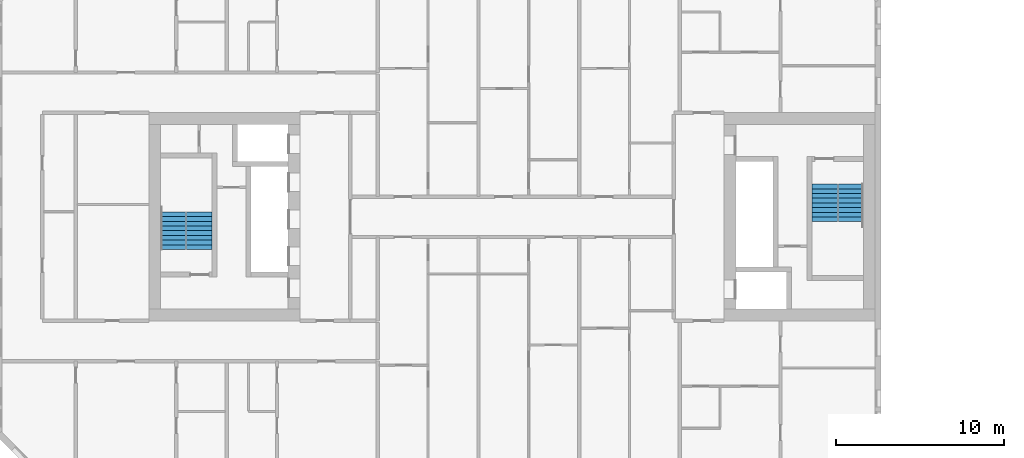
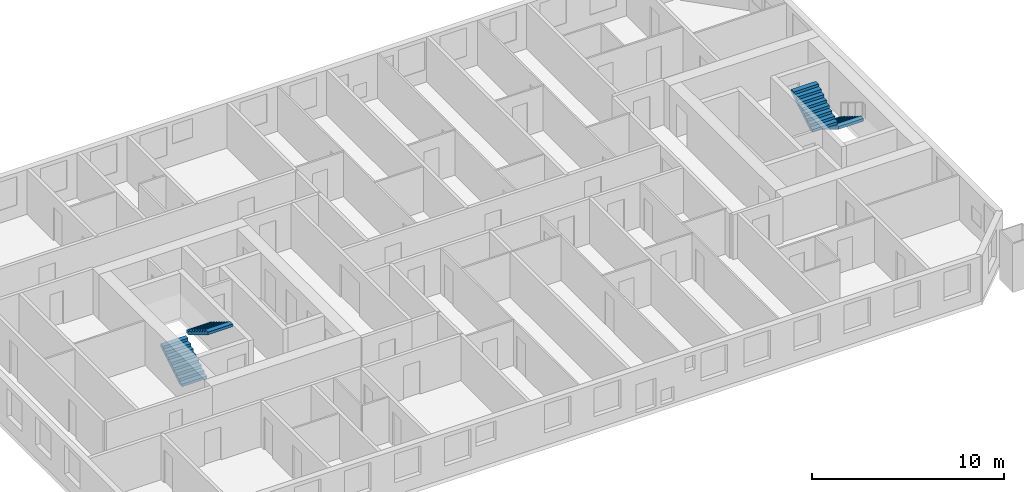
# One storey, part 16 of 17: 4 stair flights, 2 elements without a shape of their own.
"""IFC4 building model written with IfcOpenShell, lengths in metres."""

from ifc_helpers import new_model, si_unit, direction, frame, origin, place, context, subcontext, project, spatial, faceted_brep, material, type_object, element, aggregate, save


model = new_model("IFC4")

# Units and contexts
model_context = context("Model", 3, precision=1e-05, world=origin(), true_north=direction((0.0, 1.0)))
body_context = subcontext(model_context, "Body", "Model", "MODEL_VIEW")
ifc_project = project(units=[si_unit("LENGTHUNIT", "METRE"), si_unit("AREAUNIT", "SQUARE_METRE"), si_unit("VOLUMEUNIT", "CUBIC_METRE"), si_unit("PLANEANGLEUNIT", "RADIAN"), si_unit("MASSUNIT", "GRAM", prefix="KILO")], contexts=[model_context])

# Site, building, storey
site_placement = place(None, origin())
site = spatial("IfcSite", under=ifc_project, at=site_placement, CompositionType="ELEMENT")
building_placement = place(site_placement, origin())
building = spatial("IfcBuilding", under=site, at=building_placement, Name="Tuart Gate Housing", CompositionType="ELEMENT")
storey_placement = place(building_placement, frame((0.0, 0.0, 84.0)))
storey = spatial("IfcBuildingStorey", under=building, at=storey_placement, Name="L23", CompositionType="ELEMENT", Elevation=84.0)

# Stair, stair flights
ifc_material_1 = material(Name="Concrete C40", Category="concrete")
stair_type = type_object("IfcStairType", Name="Core stair 1500", PredefinedType="HALF_TURN_STAIR", material=ifc_material_1)
stair_1_placement = place(storey_placement, origin())
stair_1 = element("IfcStair", 1, at=stair_1_placement, inside=storey, type_object=stair_type, Name="Stair SA1", PredefinedType="HALF_TURN_STAIR")
ifc_material_2 = material(Name="Concrete C40", Category="concrete")
stair_flight_type = type_object("IfcStairFlightType", Name="Stair flight 1500, 9 risers 172 x 280", PredefinedType="STRAIGHT", material=ifc_material_2)
stair_flight_1_placement = place(storey_placement, frame((74.18994140625, 71.949951171875, 0.0), z_axis=(0.0, 0.0, 1.0), x_axis=(0.0, -1.0, 0.0)))
stair_flight_1 = element("IfcStairFlight", 2, at=stair_flight_1_placement, type_object=stair_flight_type, Name="SA1 flight 1", NumberOfRisers=9, NumberOfTreads=8, PredefinedType="STRAIGHT", RiserHeight=0.172222222, TreadLength=0.28, context=body_context, shape_type="Brep", body=[
    faceted_brep([(0.0, 0.75, 0.0), (0.0, 0.75, 0.172119140625), (0.280029296875, 0.75, 0.172119140625), (0.280029296875, 0.75, 0.344482421875), (0.56005859375, 0.75, 0.344482421875), (0.56005859375, 0.75, 0.5166015625), (0.840087890625, 0.75, 0.5166015625), (0.840087890625, 0.75, 0.68896484375), (1.1201171875, 0.75, 0.68896484375), (1.1201171875, 0.75, 0.861083984375), (1.39990234375, 0.75, 0.861083984375), (1.39990234375, 0.75, 1.033447265625), (1.679931640625, 0.75, 1.033447265625), (1.679931640625, 0.75, 1.20556640625), (1.9599609375, 0.75, 1.20556640625), (1.9599609375, 0.75, 1.377685546875), (2.239990234375, 0.75, 1.377685546875), (2.239990234375, 0.75, 1.201904296875), (0.2861328125, 0.75, 0.0), (0.2861328125, -0.75, 0.0), (2.239990234375, -0.75, 1.201904296875), (2.239990234375, -0.75, 1.377685546875), (1.9599609375, -0.75, 1.377685546875), (1.9599609375, -0.75, 1.20556640625), (1.679931640625, -0.75, 1.20556640625), (1.679931640625, -0.75, 1.033447265625), (1.39990234375, -0.75, 1.033447265625), (1.39990234375, -0.75, 0.861083984375), (1.1201171875, -0.75, 0.861083984375), (1.1201171875, -0.75, 0.68896484375), (0.840087890625, -0.75, 0.68896484375), (0.840087890625, -0.75, 0.5166015625), (0.56005859375, -0.75, 0.5166015625), (0.56005859375, -0.75, 0.344482421875), (0.280029296875, -0.75, 0.344482421875), (0.280029296875, -0.75, 0.172119140625), (0.0, -0.75, 0.172119140625), (0.0, -0.75, 0.0), (2.239990234375, 0.0, 1.201904296875), (0.2861328125, 0.0, 0.0), (2.239990234375, 0.0, 1.377685546875), (1.9599609375, 0.0, 1.377685546875), (1.9599609375, 0.0, 1.20556640625), (1.679931640625, 0.0, 1.20556640625), (1.679931640625, 0.0, 1.033447265625), (1.39990234375, 0.0, 1.033447265625), (1.39990234375, 0.0, 0.861083984375), (1.1201171875, 0.0, 0.861083984375), (1.1201171875, 0.0, 0.68896484375), (0.840087890625, 0.0, 0.68896484375), (0.840087890625, 0.0, 0.5166015625), (0.56005859375, 0.0, 0.5166015625), (0.56005859375, 0.0, 0.344482421875), (0.280029296875, 0.0, 0.344482421875), (0.280029296875, 0.0, 0.172119140625), (0.0, 0.0, 0.172119140625), (0.0, 0.0, 0.0)], [[[0, 1, 2, 3, 4, 5, 6, 7, 8, 9, 10, 11, 12, 13, 14, 15, 16, 17, 18]], [[19, 20, 21, 22, 23, 24, 25, 26, 27, 28, 29, 30, 31, 32, 33, 34, 35, 36, 37]], [[18, 17, 38, 39]], [[39, 38, 20, 19]], [[17, 16, 40, 38]], [[38, 40, 21, 20]], [[16, 15, 41, 40]], [[40, 41, 22, 21]], [[15, 14, 42, 41]], [[41, 42, 23, 22]], [[14, 13, 43, 42]], [[42, 43, 24, 23]], [[13, 12, 44, 43]], [[43, 44, 25, 24]], [[12, 11, 45, 44]], [[44, 45, 26, 25]], [[11, 10, 46, 45]], [[45, 46, 27, 26]], [[10, 9, 47, 46]], [[46, 47, 28, 27]], [[9, 8, 48, 47]], [[47, 48, 29, 28]], [[8, 7, 49, 48]], [[48, 49, 30, 29]], [[7, 6, 50, 49]], [[49, 50, 31, 30]], [[6, 5, 51, 50]], [[50, 51, 32, 31]], [[5, 4, 52, 51]], [[51, 52, 33, 32]], [[4, 3, 53, 52]], [[52, 53, 34, 33]], [[3, 2, 54, 53]], [[53, 54, 35, 34]], [[2, 1, 55, 54]], [[54, 55, 36, 35]], [[1, 0, 56, 55]], [[55, 56, 37, 36]], [[0, 18, 39, 56]], [[56, 39, 19, 37]]]),
])
stair_flight_2_placement = place(storey_placement, frame((72.639892578125, 69.7099609375, 1.550048828125), z_axis=(0.0, 0.0, 1.0), x_axis=(0.0, 1.0, 0.0)))
stair_flight_2 = element("IfcStairFlight", 3, at=stair_flight_2_placement, type_object=stair_flight_type, Name="SA1 flight 2", NumberOfRisers=9, NumberOfTreads=8, PredefinedType="STRAIGHT", RiserHeight=0.172222222, TreadLength=0.28, context=body_context, shape_type="Brep", body=[
    faceted_brep([(0.0, 0.75, 0.0), (0.0, 0.75, 0.172119140625), (0.280029296875, 0.75, 0.172119140625), (0.280029296875, 0.75, 0.344482421875), (0.56005859375, 0.75, 0.344482421875), (0.56005859375, 0.75, 0.5166015625), (0.840087890625, 0.75, 0.5166015625), (0.840087890625, 0.75, 0.68896484375), (1.1201171875, 0.75, 0.68896484375), (1.1201171875, 0.75, 0.861083984375), (1.39990234375, 0.75, 0.861083984375), (1.39990234375, 0.75, 1.033447265625), (1.679931640625, 0.75, 1.033447265625), (1.679931640625, 0.75, 1.20556640625), (1.9599609375, 0.75, 1.20556640625), (1.9599609375, 0.75, 1.377685546875), (2.239990234375, 0.75, 1.377685546875), (2.239990234375, 0.75, 1.201904296875), (0.2861328125, 0.75, 0.0), (0.2861328125, -0.75, 0.0), (2.239990234375, -0.75, 1.201904296875), (2.239990234375, -0.75, 1.377685546875), (1.9599609375, -0.75, 1.377685546875), (1.9599609375, -0.75, 1.20556640625), (1.679931640625, -0.75, 1.20556640625), (1.679931640625, -0.75, 1.033447265625), (1.39990234375, -0.75, 1.033447265625), (1.39990234375, -0.75, 0.861083984375), (1.1201171875, -0.75, 0.861083984375), (1.1201171875, -0.75, 0.68896484375), (0.840087890625, -0.75, 0.68896484375), (0.840087890625, -0.75, 0.5166015625), (0.56005859375, -0.75, 0.5166015625), (0.56005859375, -0.75, 0.344482421875), (0.280029296875, -0.75, 0.344482421875), (0.280029296875, -0.75, 0.172119140625), (0.0, -0.75, 0.172119140625), (0.0, -0.75, 0.0), (2.239990234375, 0.0, 1.201904296875), (0.2861328125, 0.0, 0.0), (2.239990234375, 0.0, 1.377685546875), (1.9599609375, 0.0, 1.377685546875), (1.9599609375, 0.0, 1.20556640625), (1.679931640625, 0.0, 1.20556640625), (1.679931640625, 0.0, 1.033447265625), (1.39990234375, 0.0, 1.033447265625), (1.39990234375, 0.0, 0.861083984375), (1.1201171875, 0.0, 0.861083984375), (1.1201171875, 0.0, 0.68896484375), (0.840087890625, 0.0, 0.68896484375), (0.840087890625, 0.0, 0.5166015625), (0.56005859375, 0.0, 0.5166015625), (0.56005859375, 0.0, 0.344482421875), (0.280029296875, 0.0, 0.344482421875), (0.280029296875, 0.0, 0.172119140625), (0.0, 0.0, 0.172119140625), (0.0, 0.0, 0.0)], [[[0, 1, 2, 3, 4, 5, 6, 7, 8, 9, 10, 11, 12, 13, 14, 15, 16, 17, 18]], [[19, 20, 21, 22, 23, 24, 25, 26, 27, 28, 29, 30, 31, 32, 33, 34, 35, 36, 37]], [[18, 17, 38, 39]], [[39, 38, 20, 19]], [[17, 16, 40, 38]], [[38, 40, 21, 20]], [[16, 15, 41, 40]], [[40, 41, 22, 21]], [[15, 14, 42, 41]], [[41, 42, 23, 22]], [[14, 13, 43, 42]], [[42, 43, 24, 23]], [[13, 12, 44, 43]], [[43, 44, 25, 24]], [[12, 11, 45, 44]], [[44, 45, 26, 25]], [[11, 10, 46, 45]], [[45, 46, 27, 26]], [[10, 9, 47, 46]], [[46, 47, 28, 27]], [[9, 8, 48, 47]], [[47, 48, 29, 28]], [[8, 7, 49, 48]], [[48, 49, 30, 29]], [[7, 6, 50, 49]], [[49, 50, 31, 30]], [[6, 5, 51, 50]], [[50, 51, 32, 31]], [[5, 4, 52, 51]], [[51, 52, 33, 32]], [[4, 3, 53, 52]], [[52, 53, 34, 33]], [[3, 2, 54, 53]], [[53, 54, 35, 34]], [[2, 1, 55, 54]], [[54, 55, 36, 35]], [[1, 0, 56, 55]], [[55, 56, 37, 36]], [[0, 18, 39, 56]], [[56, 39, 19, 37]]]),
])
aggregate(stair_1, [stair_flight_1, stair_flight_2])

stair_2_placement = place(storey_placement, origin())
stair_2 = element("IfcStair", 4, at=stair_2_placement, inside=storey, type_object=stair_type, Name="Stair SA2", PredefinedType="HALF_TURN_STAIR")
stair_flight_3_placement = place(storey_placement, frame((33.81005859375, 68.050048828125, 0.0), z_axis=(0.0, 0.0, 1.0), x_axis=(0.0, 1.0, 0.0)))
stair_flight_3 = element("IfcStairFlight", 5, at=stair_flight_3_placement, type_object=stair_flight_type, Name="SA2 flight 1", NumberOfRisers=9, NumberOfTreads=8, PredefinedType="STRAIGHT", RiserHeight=0.172222222, TreadLength=0.28, context=body_context, shape_type="Brep", body=[
    faceted_brep([(0.0, 0.75, 0.0), (0.0, 0.75, 0.172119140625), (0.280029296875, 0.75, 0.172119140625), (0.280029296875, 0.75, 0.344482421875), (0.56005859375, 0.75, 0.344482421875), (0.56005859375, 0.75, 0.5166015625), (0.840087890625, 0.75, 0.5166015625), (0.840087890625, 0.75, 0.68896484375), (1.1201171875, 0.75, 0.68896484375), (1.1201171875, 0.75, 0.861083984375), (1.39990234375, 0.75, 0.861083984375), (1.39990234375, 0.75, 1.033447265625), (1.679931640625, 0.75, 1.033447265625), (1.679931640625, 0.75, 1.20556640625), (1.9599609375, 0.75, 1.20556640625), (1.9599609375, 0.75, 1.377685546875), (2.239990234375, 0.75, 1.377685546875), (2.239990234375, 0.75, 1.201904296875), (0.2861328125, 0.75, 0.0), (0.2861328125, -0.75, 0.0), (2.239990234375, -0.75, 1.201904296875), (2.239990234375, -0.75, 1.377685546875), (1.9599609375, -0.75, 1.377685546875), (1.9599609375, -0.75, 1.20556640625), (1.679931640625, -0.75, 1.20556640625), (1.679931640625, -0.75, 1.033447265625), (1.39990234375, -0.75, 1.033447265625), (1.39990234375, -0.75, 0.861083984375), (1.1201171875, -0.75, 0.861083984375), (1.1201171875, -0.75, 0.68896484375), (0.840087890625, -0.75, 0.68896484375), (0.840087890625, -0.75, 0.5166015625), (0.56005859375, -0.75, 0.5166015625), (0.56005859375, -0.75, 0.344482421875), (0.280029296875, -0.75, 0.344482421875), (0.280029296875, -0.75, 0.172119140625), (0.0, -0.75, 0.172119140625), (0.0, -0.75, 0.0), (2.239990234375, 0.0, 1.201904296875), (0.2861328125, 0.0, 0.0), (2.239990234375, 0.0, 1.377685546875), (1.9599609375, 0.0, 1.377685546875), (1.9599609375, 0.0, 1.20556640625), (1.679931640625, 0.0, 1.20556640625), (1.679931640625, 0.0, 1.033447265625), (1.39990234375, 0.0, 1.033447265625), (1.39990234375, 0.0, 0.861083984375), (1.1201171875, 0.0, 0.861083984375), (1.1201171875, 0.0, 0.68896484375), (0.840087890625, 0.0, 0.68896484375), (0.840087890625, 0.0, 0.5166015625), (0.56005859375, 0.0, 0.5166015625), (0.56005859375, 0.0, 0.344482421875), (0.280029296875, 0.0, 0.344482421875), (0.280029296875, 0.0, 0.172119140625), (0.0, 0.0, 0.172119140625), (0.0, 0.0, 0.0)], [[[0, 1, 2, 3, 4, 5, 6, 7, 8, 9, 10, 11, 12, 13, 14, 15, 16, 17, 18]], [[19, 20, 21, 22, 23, 24, 25, 26, 27, 28, 29, 30, 31, 32, 33, 34, 35, 36, 37]], [[18, 17, 38, 39]], [[39, 38, 20, 19]], [[17, 16, 40, 38]], [[38, 40, 21, 20]], [[16, 15, 41, 40]], [[40, 41, 22, 21]], [[15, 14, 42, 41]], [[41, 42, 23, 22]], [[14, 13, 43, 42]], [[42, 43, 24, 23]], [[13, 12, 44, 43]], [[43, 44, 25, 24]], [[12, 11, 45, 44]], [[44, 45, 26, 25]], [[11, 10, 46, 45]], [[45, 46, 27, 26]], [[10, 9, 47, 46]], [[46, 47, 28, 27]], [[9, 8, 48, 47]], [[47, 48, 29, 28]], [[8, 7, 49, 48]], [[48, 49, 30, 29]], [[7, 6, 50, 49]], [[49, 50, 31, 30]], [[6, 5, 51, 50]], [[50, 51, 32, 31]], [[5, 4, 52, 51]], [[51, 52, 33, 32]], [[4, 3, 53, 52]], [[52, 53, 34, 33]], [[3, 2, 54, 53]], [[53, 54, 35, 34]], [[2, 1, 55, 54]], [[54, 55, 36, 35]], [[1, 0, 56, 55]], [[55, 56, 37, 36]], [[0, 18, 39, 56]], [[56, 39, 19, 37]]]),
])
stair_flight_4_placement = place(storey_placement, frame((35.360107421875, 70.2900390625, 1.550048828125), z_axis=(0.0, 0.0, 1.0), x_axis=(0.0, -1.0, 0.0)))
stair_flight_4 = element("IfcStairFlight", 6, at=stair_flight_4_placement, type_object=stair_flight_type, Name="SA2 flight 2", NumberOfRisers=9, NumberOfTreads=8, PredefinedType="STRAIGHT", RiserHeight=0.172222222, TreadLength=0.28, context=body_context, shape_type="Brep", body=[
    faceted_brep([(0.0, 0.75, 0.0), (0.0, 0.75, 0.172119140625), (0.280029296875, 0.75, 0.172119140625), (0.280029296875, 0.75, 0.344482421875), (0.56005859375, 0.75, 0.344482421875), (0.56005859375, 0.75, 0.5166015625), (0.840087890625, 0.75, 0.5166015625), (0.840087890625, 0.75, 0.68896484375), (1.1201171875, 0.75, 0.68896484375), (1.1201171875, 0.75, 0.861083984375), (1.39990234375, 0.75, 0.861083984375), (1.39990234375, 0.75, 1.033447265625), (1.679931640625, 0.75, 1.033447265625), (1.679931640625, 0.75, 1.20556640625), (1.9599609375, 0.75, 1.20556640625), (1.9599609375, 0.75, 1.377685546875), (2.239990234375, 0.75, 1.377685546875), (2.239990234375, 0.75, 1.201904296875), (0.2861328125, 0.75, 0.0), (0.2861328125, -0.75, 0.0), (2.239990234375, -0.75, 1.201904296875), (2.239990234375, -0.75, 1.377685546875), (1.9599609375, -0.75, 1.377685546875), (1.9599609375, -0.75, 1.20556640625), (1.679931640625, -0.75, 1.20556640625), (1.679931640625, -0.75, 1.033447265625), (1.39990234375, -0.75, 1.033447265625), (1.39990234375, -0.75, 0.861083984375), (1.1201171875, -0.75, 0.861083984375), (1.1201171875, -0.75, 0.68896484375), (0.840087890625, -0.75, 0.68896484375), (0.840087890625, -0.75, 0.5166015625), (0.56005859375, -0.75, 0.5166015625), (0.56005859375, -0.75, 0.344482421875), (0.280029296875, -0.75, 0.344482421875), (0.280029296875, -0.75, 0.172119140625), (0.0, -0.75, 0.172119140625), (0.0, -0.75, 0.0), (2.239990234375, 0.0, 1.201904296875), (0.2861328125, 0.0, 0.0), (2.239990234375, 0.0, 1.377685546875), (1.9599609375, 0.0, 1.377685546875), (1.9599609375, 0.0, 1.20556640625), (1.679931640625, 0.0, 1.20556640625), (1.679931640625, 0.0, 1.033447265625), (1.39990234375, 0.0, 1.033447265625), (1.39990234375, 0.0, 0.861083984375), (1.1201171875, 0.0, 0.861083984375), (1.1201171875, 0.0, 0.68896484375), (0.840087890625, 0.0, 0.68896484375), (0.840087890625, 0.0, 0.5166015625), (0.56005859375, 0.0, 0.5166015625), (0.56005859375, 0.0, 0.344482421875), (0.280029296875, 0.0, 0.344482421875), (0.280029296875, 0.0, 0.172119140625), (0.0, 0.0, 0.172119140625), (0.0, 0.0, 0.0)], [[[0, 1, 2, 3, 4, 5, 6, 7, 8, 9, 10, 11, 12, 13, 14, 15, 16, 17, 18]], [[19, 20, 21, 22, 23, 24, 25, 26, 27, 28, 29, 30, 31, 32, 33, 34, 35, 36, 37]], [[18, 17, 38, 39]], [[39, 38, 20, 19]], [[17, 16, 40, 38]], [[38, 40, 21, 20]], [[16, 15, 41, 40]], [[40, 41, 22, 21]], [[15, 14, 42, 41]], [[41, 42, 23, 22]], [[14, 13, 43, 42]], [[42, 43, 24, 23]], [[13, 12, 44, 43]], [[43, 44, 25, 24]], [[12, 11, 45, 44]], [[44, 45, 26, 25]], [[11, 10, 46, 45]], [[45, 46, 27, 26]], [[10, 9, 47, 46]], [[46, 47, 28, 27]], [[9, 8, 48, 47]], [[47, 48, 29, 28]], [[8, 7, 49, 48]], [[48, 49, 30, 29]], [[7, 6, 50, 49]], [[49, 50, 31, 30]], [[6, 5, 51, 50]], [[50, 51, 32, 31]], [[5, 4, 52, 51]], [[51, 52, 33, 32]], [[4, 3, 53, 52]], [[52, 53, 34, 33]], [[3, 2, 54, 53]], [[53, 54, 35, 34]], [[2, 1, 55, 54]], [[54, 55, 36, 35]], [[1, 0, 56, 55]], [[55, 56, 37, 36]], [[0, 18, 39, 56]], [[56, 39, 19, 37]]]),
])
aggregate(stair_2, [stair_flight_3, stair_flight_4])

save(model, "model.ifc")
